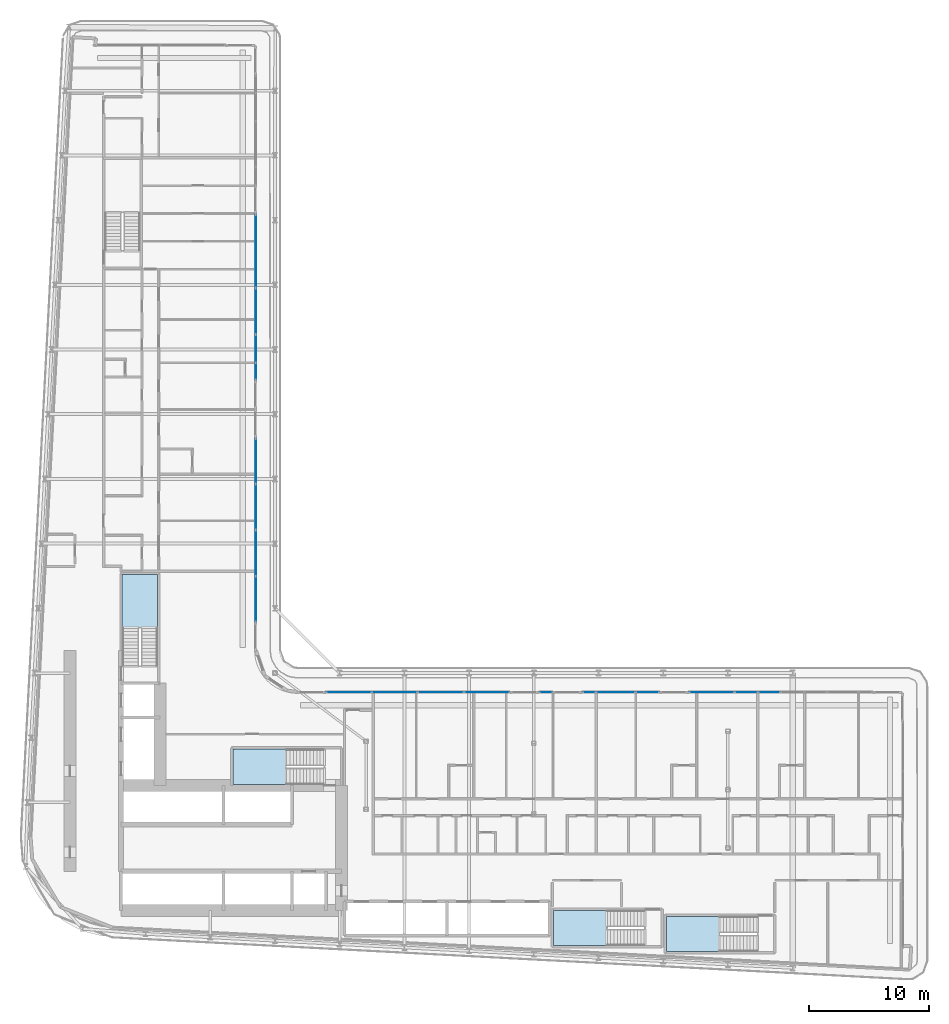
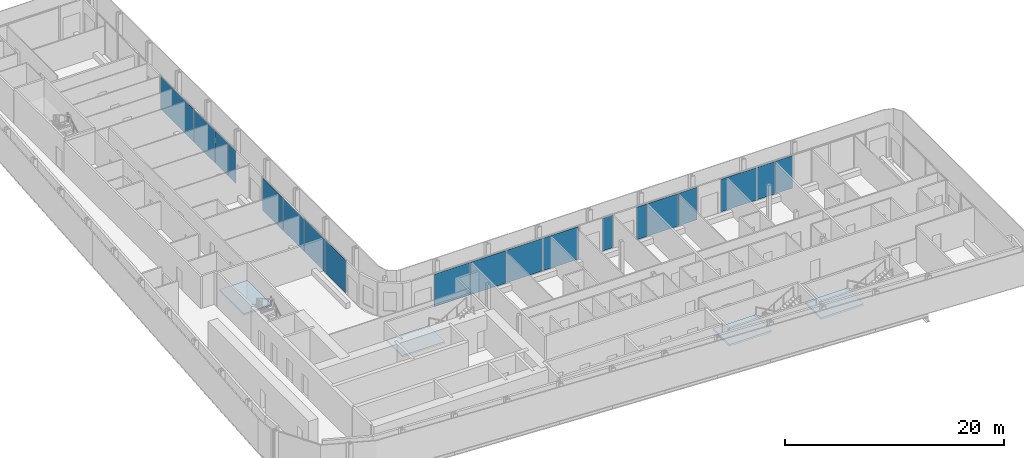
# One storey, part 10 of 29: 19 plates, 4 slabs, 13 elements without a shape of their own.
"""IFC4 building model written with IfcOpenShell, lengths in metres."""

from ifc_helpers import new_model, si_unit, direction, frame, origin, origin_2d, place, context, subcontext, project, spatial, polyline, rectangle, outline, extrude, material, layer, layer_set, type_object, element, aggregate, save


model = new_model("IFC4")

# Units and contexts
model_context = context("Model", 3, precision=1e-05, world=origin(), true_north=direction((0.0, 1.0)))
body_context = subcontext(model_context, "Body", "Model", "MODEL_VIEW")
ifc_project = project(units=[si_unit("LENGTHUNIT", "METRE"), si_unit("AREAUNIT", "SQUARE_METRE"), si_unit("VOLUMEUNIT", "CUBIC_METRE"), si_unit("PLANEANGLEUNIT", "RADIAN"), si_unit("MASSUNIT", "GRAM", prefix="KILO")], contexts=[model_context])

# Site, building, storey
site_placement = place(None, origin())
site = spatial("IfcSite", under=ifc_project, at=site_placement, CompositionType="ELEMENT")
building_placement = place(site_placement, origin())
building = spatial("IfcBuilding", under=site, at=building_placement, Name="Kheshtan School and Residences Tower", CompositionType="ELEMENT")
storey_placement = place(building_placement, frame((0.0, 0.0, 69.5)))
storey = spatial("IfcBuildingStorey", under=building, at=storey_placement, Name="L16", CompositionType="ELEMENT", Elevation=69.5)

# Curtain wall, plate
ifc_material_1 = material(Name="Clear low-e glass in thermally broken aluminium frame", Category="aluminium")
ifc_layer_1 = layer(ifc_material_1, 0.199951171875)
ifc_layer_set_1 = layer_set([ifc_layer_1], Name="Curtain wall CW-L")
curtain_wall_type = type_object("IfcCurtainWallType", Name="Curtain wall CW-L", PredefinedType="NOTDEFINED", material=ifc_layer_set_1)
curtain_wall_1_placement = place(storey_placement, origin())
curtain_wall_1 = element("IfcCurtainWall", 1, at=curtain_wall_1_placement, inside=storey, type_object=curtain_wall_type, Name="Curtain wall CWL8d", PredefinedType="NOTDEFINED")
ifc_layer_2 = layer(ifc_material_1, 0.031982421875)
ifc_layer_set_2 = layer_set([ifc_layer_2], Name="CW-L glass panel")
plate_type = type_object("IfcPlateType", Name="CW-L glass panel", PredefinedType="CURTAIN_PANEL", material=ifc_layer_set_2)
plate_1_placement = place(storey_placement, frame((46.0, 80.80908203125, 0.0), z_axis=(0.0, 0.0, 1.0), x_axis=(0.0, -1.0, 0.0)))
plate_1 = element("IfcPlate", 2, at=plate_1_placement, type_object=plate_type, Name="CWL8d panel 1.1", PredefinedType="CURTAIN_PANEL", context=body_context, shape_type="SweptSolid", body=[
    extrude(rectangle(XDim=6.073974609375, YDim=0.031982421875, at=origin_2d()), origin(), (0.0, 0.0, 1.0), 3.6298828125),
])
aggregate(curtain_wall_1, [plate_1])

# Curtain wall, plates
curtain_wall_2_placement = place(storey_placement, origin())
curtain_wall_2 = element("IfcCurtainWall", 3, at=curtain_wall_2_placement, inside=storey, type_object=curtain_wall_type, Name="Curtain wall CWL8c", PredefinedType="NOTDEFINED")
plate_2_placement = place(storey_placement, frame((46.0, 75.803466796875, 0.0), z_axis=(0.0, 0.0, 1.0), x_axis=(0.0, -1.0, 0.0)))
plate_2 = element("IfcPlate", 4, at=plate_2_placement, type_object=plate_type, Name="CWL8c panel 1.1", PredefinedType="CURTAIN_PANEL", context=body_context, shape_type="SweptSolid", body=[
    extrude(rectangle(XDim=3.81689453125, YDim=0.031982421875, at=origin_2d()), origin(), (0.0, 0.0, 1.0), 3.6298828125),
])
plate_3_placement = place(storey_placement, frame((46.0, 72.6826171875, 0.0), z_axis=(0.0, 0.0, 1.0), x_axis=(0.0, -1.0, 0.0)))
plate_3 = element("IfcPlate", 5, at=plate_3_placement, type_object=plate_type, Name="CWL8c panel 2.1", PredefinedType="CURTAIN_PANEL", context=body_context, shape_type="SweptSolid", body=[
    extrude(rectangle(XDim=2.304931640625, YDim=0.031982421875, at=origin_2d()), origin(), (0.0, 0.0, 1.0), 3.6298828125),
])
plate_4_placement = place(storey_placement, frame((46.0, 70.77392578125, 0.0), z_axis=(0.0, 0.0, 1.0), x_axis=(0.0, -1.0, 0.0)))
plate_4 = element("IfcPlate", 6, at=plate_4_placement, type_object=plate_type, Name="CWL8c panel 3.1", PredefinedType="CURTAIN_PANEL", context=body_context, shape_type="SweptSolid", body=[
    extrude(rectangle(XDim=1.39208984375, YDim=0.031982421875, at=origin_2d()), origin(), (0.0, 0.0, 1.0), 3.6298828125),
])
aggregate(curtain_wall_2, [plate_2, plate_3, plate_4])

curtain_wall_3_placement = place(storey_placement, origin())
curtain_wall_3 = element("IfcCurtainWall", 7, at=curtain_wall_3_placement, inside=storey, type_object=curtain_wall_type, Name="Curtain wall CWL8", PredefinedType="NOTDEFINED")
plate_5_placement = place(storey_placement, frame((46.0, 63.279541015625, 0.0), z_axis=(0.0, 0.0, 1.0), x_axis=(0.0, -1.0, 0.0)))
plate_5 = element("IfcPlate", 8, at=plate_5_placement, type_object=plate_type, Name="CWL8 panel 1.1", PredefinedType="CURTAIN_PANEL", context=body_context, shape_type="SweptSolid", body=[
    extrude(rectangle(XDim=3.757080078125, YDim=0.031982421875, at=origin_2d()), origin(), (0.0, 0.0, 1.0), 3.6298828125),
])
plate_6_placement = place(storey_placement, frame((46.0, 59.46240234375, 0.0), z_axis=(0.0, 0.0, 1.0), x_axis=(0.0, -1.0, 0.0)))
plate_6 = element("IfcPlate", 9, at=plate_6_placement, type_object=plate_type, Name="CWL8 panel 2.1", PredefinedType="CURTAIN_PANEL", context=body_context, shape_type="SweptSolid", body=[
    extrude(rectangle(XDim=3.757080078125, YDim=0.031982421875, at=origin_2d()), origin(), (0.0, 0.0, 1.0), 3.6298828125),
])
aggregate(curtain_wall_3, [plate_5, plate_6])

curtain_wall_4_placement = place(storey_placement, origin())
curtain_wall_4 = element("IfcCurtainWall", 10, at=curtain_wall_4_placement, inside=storey, type_object=curtain_wall_type, Name="Curtain wall CWL8", PredefinedType="NOTDEFINED")
plate_7_placement = place(storey_placement, frame((46.0, 55.615478515625, 0.0), z_axis=(0.0, 0.0, 1.0), x_axis=(0.0, -1.0, 0.0)))
plate_7 = element("IfcPlate", 11, at=plate_7_placement, type_object=plate_type, Name="CWL8 panel 1.1", PredefinedType="CURTAIN_PANEL", context=body_context, shape_type="SweptSolid", body=[
    extrude(rectangle(XDim=3.81689453125, YDim=0.031982421875, at=origin_2d()), origin(), (0.0, 0.0, 1.0), 3.6298828125),
])
plate_8_placement = place(storey_placement, frame((46.0, 51.7685546875, 0.0), z_axis=(0.0, 0.0, 1.0), x_axis=(0.0, -1.0, 0.0)))
plate_8 = element("IfcPlate", 12, at=plate_8_placement, type_object=plate_type, Name="CWL8 panel 2.1", PredefinedType="CURTAIN_PANEL", context=body_context, shape_type="SweptSolid", body=[
    extrude(rectangle(XDim=3.757080078125, YDim=0.031982421875, at=origin_2d()), origin(), (0.0, 0.0, 1.0), 3.6298828125),
])
aggregate(curtain_wall_4, [plate_7, plate_8])

curtain_wall_5_placement = place(storey_placement, origin())
curtain_wall_5 = element("IfcCurtainWall", 13, at=curtain_wall_5_placement, inside=storey, type_object=curtain_wall_type, Name="Curtain wall CWL12j", PredefinedType="NOTDEFINED")
plate_9_placement = place(storey_placement, frame((53.7685546875, 44.0, 0.0), z_axis=(0.0, 0.0, 1.0), x_axis=(1.0, 0.0, 0.0)))
plate_9 = element("IfcPlate", 14, at=plate_9_placement, type_object=plate_type, Name="CWL12j panel 1.1", PredefinedType="CURTAIN_PANEL", context=body_context, shape_type="SweptSolid", body=[
    extrude(rectangle(XDim=3.757080078125, YDim=0.031982421875, at=origin_2d()), origin(), (0.0, 0.0, 1.0), 3.6298828125),
])
plate_10_placement = place(storey_placement, frame((57.58544921875, 44.0, 0.0), z_axis=(0.0, 0.0, 1.0), x_axis=(1.0, 0.0, 0.0)))
plate_10 = element("IfcPlate", 15, at=plate_10_placement, type_object=plate_type, Name="CWL12j panel 2.1", PredefinedType="CURTAIN_PANEL", context=body_context, shape_type="SweptSolid", body=[
    extrude(rectangle(XDim=3.757080078125, YDim=0.031982421875, at=origin_2d()), origin(), (0.0, 0.0, 1.0), 3.6298828125),
])
aggregate(curtain_wall_5, [plate_9, plate_10])

curtain_wall_6_placement = place(storey_placement, origin())
curtain_wall_6 = element("IfcCurtainWall", 16, at=curtain_wall_6_placement, inside=storey, type_object=curtain_wall_type, Name="Curtain wall CWL12j", PredefinedType="NOTDEFINED")
plate_11_placement = place(storey_placement, frame((61.4326171875, 44.0, 0.0), z_axis=(0.0, 0.0, 1.0), x_axis=(1.0, 0.0, 0.0)))
plate_11 = element("IfcPlate", 17, at=plate_11_placement, type_object=plate_type, Name="CWL12j panel 1.1", PredefinedType="CURTAIN_PANEL", context=body_context, shape_type="SweptSolid", body=[
    extrude(rectangle(XDim=3.81689453125, YDim=0.031982421875, at=origin_2d()), origin(), (0.0, 0.0, 1.0), 3.6298828125),
])
plate_12_placement = place(storey_placement, frame((65.279541015625, 44.0, 0.0), z_axis=(0.0, 0.0, 1.0), x_axis=(1.0, 0.0, 0.0)))
plate_12 = element("IfcPlate", 18, at=plate_12_placement, type_object=plate_type, Name="CWL12j panel 2.1", PredefinedType="CURTAIN_PANEL", context=body_context, shape_type="SweptSolid", body=[
    extrude(rectangle(XDim=3.757080078125, YDim=0.031982421875, at=origin_2d()), origin(), (0.0, 0.0, 1.0), 3.6298828125),
])
aggregate(curtain_wall_6, [plate_11, plate_12])

# Curtain wall, plate
curtain_wall_7_placement = place(storey_placement, origin())
curtain_wall_7 = element("IfcCurtainWall", 19, at=curtain_wall_7_placement, inside=storey, type_object=curtain_wall_type, Name="Curtain wall CWL12b", PredefinedType="NOTDEFINED")
plate_13_placement = place(storey_placement, frame((70.218017578125, 44.0, 0.0), z_axis=(0.0, 0.0, 1.0), x_axis=(1.0, 0.0, 0.0)))
plate_13 = element("IfcPlate", 20, at=plate_13_placement, type_object=plate_type, Name="CWL12b panel 1.1", PredefinedType="CURTAIN_PANEL", context=body_context, shape_type="SweptSolid", body=[
    extrude(rectangle(XDim=1.080078125, YDim=0.031982421875, at=origin_2d()), origin(), (0.0, 0.0, 1.0), 3.6298828125),
])
aggregate(curtain_wall_7, [plate_13])

# Curtain wall, plates
curtain_wall_8_placement = place(storey_placement, origin())
curtain_wall_8 = element("IfcCurtainWall", 21, at=curtain_wall_8_placement, inside=storey, type_object=curtain_wall_type, Name="Curtain wall CWL12l", PredefinedType="NOTDEFINED")
plate_14_placement = place(storey_placement, frame((73.823974609375, 44.0, 0.0), z_axis=(0.0, 0.0, 1.0), x_axis=(1.0, 0.0, 0.0)))
plate_14 = element("IfcPlate", 22, at=plate_14_placement, type_object=plate_type, Name="CWL12l panel 1.1", PredefinedType="CURTAIN_PANEL", context=body_context, shape_type="SweptSolid", body=[
    extrude(rectangle(XDim=1.092041015625, YDim=0.031982421875, at=origin_2d()), origin(), (0.0, 0.0, 1.0), 3.6298828125),
])
plate_15_placement = place(storey_placement, frame((76.050048828125, 44.0, 0.0), z_axis=(0.0, 0.0, 1.0), x_axis=(1.0, 0.0, 0.0)))
plate_15 = element("IfcPlate", 23, at=plate_15_placement, type_object=plate_type, Name="CWL12l panel 2.1", PredefinedType="CURTAIN_PANEL", context=body_context, shape_type="SweptSolid", body=[
    extrude(rectangle(XDim=3.239990234375, YDim=0.031982421875, at=origin_2d()), origin(), (0.0, 0.0, 1.0), 3.6298828125),
])
plate_16_placement = place(storey_placement, frame((78.69091796875, 44.0, 0.0), z_axis=(0.0, 0.0, 1.0), x_axis=(1.0, 0.0, 0.0)))
plate_16 = element("IfcPlate", 24, at=plate_16_placement, type_object=plate_type, Name="CWL12l panel 3.1", PredefinedType="CURTAIN_PANEL", context=body_context, shape_type="SweptSolid", body=[
    extrude(rectangle(XDim=1.922119140625, YDim=0.031982421875, at=origin_2d()), origin(), (0.0, 0.0, 1.0), 3.6298828125),
])
aggregate(curtain_wall_8, [plate_14, plate_15, plate_16])

curtain_wall_9_placement = place(storey_placement, origin())
curtain_wall_9 = element("IfcCurtainWall", 25, at=curtain_wall_9_placement, inside=storey, type_object=curtain_wall_type, Name="Curtain wall CWL12k", PredefinedType="NOTDEFINED")
plate_17_placement = place(storey_placement, frame((84.050537109375, 44.0, 0.0), z_axis=(0.0, 0.0, 1.0), x_axis=(1.0, 0.0, 0.0)))
plate_17 = element("IfcPlate", 26, at=plate_17_placement, type_object=plate_type, Name="CWL12k panel 1.1", PredefinedType="CURTAIN_PANEL", context=body_context, shape_type="SweptSolid", body=[
    extrude(rectangle(XDim=3.757080078125, YDim=0.031982421875, at=origin_2d()), origin(), (0.0, 0.0, 1.0), 3.6298828125),
])
plate_18_placement = place(storey_placement, frame((86.929443359375, 44.0, 0.0), z_axis=(0.0, 0.0, 1.0), x_axis=(1.0, 0.0, 0.0)))
plate_18 = element("IfcPlate", 27, at=plate_18_placement, type_object=plate_type, Name="CWL12k panel 2.1", PredefinedType="CURTAIN_PANEL", context=body_context, shape_type="SweptSolid", body=[
    extrude(rectangle(XDim=1.881103515625, YDim=0.031982421875, at=origin_2d()), origin(), (0.0, 0.0, 1.0), 3.6298828125),
])
plate_19_placement = place(storey_placement, frame((88.837890625, 44.0, 0.0), z_axis=(0.0, 0.0, 1.0), x_axis=(1.0, 0.0, 0.0)))
plate_19 = element("IfcPlate", 28, at=plate_19_placement, type_object=plate_type, Name="CWL12k panel 3.1", PredefinedType="CURTAIN_PANEL", context=body_context, shape_type="SweptSolid", body=[
    extrude(rectangle(XDim=1.81591796875, YDim=0.031982421875, at=origin_2d()), origin(), (0.0, 0.0, 1.0), 3.6298828125),
])
aggregate(curtain_wall_9, [plate_17, plate_18, plate_19])

# Stair, slab
ifc_material_2 = material(Name="Concrete C40/50", Category="concrete")
stair_type = type_object("IfcStairType", Name="Exit stair, half-turn", PredefinedType="HALF_TURN_STAIR", material=ifc_material_2)
stair_1_placement = place(storey_placement, origin())
stair_1 = element("IfcStair", 29, at=stair_1_placement, inside=storey, type_object=stair_type, Name="L16 Protected Exit Stair ST1", PredefinedType="HALF_TURN_STAIR")
ifc_layer_3 = layer(ifc_material_2, 0.199951171875)
ifc_layer_set_3 = layer_set([ifc_layer_3], Name="Stair landing 200 Concrete C40/50")
slab_type = type_object("IfcSlabType", Name="Stair landing 200 Concrete C40/50", PredefinedType="LANDING", material=ifc_layer_set_3)
slab_1_placement = place(storey_placement, frame((0.0, 0.0, 1.75)))
slab_1 = element("IfcSlab", 30, at=slab_1_placement, type_object=slab_type, Name="ST1 landing 1", PredefinedType="LANDING", context=body_context, shape_type="SweptSolid", body=[
    extrude(outline(polyline([(48.570068359375, 39.25), (44.090087890625, 39.25), (44.090087890625, 36.300048828125), (48.570068359375, 36.300048828125), (48.570068359375, 39.25)])), origin(), (0.0, 0.0, 1.0), 0.199951171875),
])
aggregate(stair_1, [slab_1])

stair_2_placement = place(storey_placement, origin())
stair_2 = element("IfcStair", 31, at=stair_2_placement, inside=storey, type_object=stair_type, Name="L16 Protected Exit Stair ST2", PredefinedType="HALF_TURN_STAIR")
slab_2_placement = place(storey_placement, frame((0.0, 0.0, 1.75)))
slab_2 = element("IfcSlab", 32, at=slab_2_placement, type_object=slab_type, Name="ST2 landing 1", PredefinedType="LANDING", context=body_context, shape_type="SweptSolid", body=[
    extrude(outline(polyline([(37.800048828125, 49.330078125), (37.800048828125, 53.81005859375), (34.85009765625, 53.81005859375), (34.85009765625, 49.330078125), (37.800048828125, 49.330078125)])), origin(), (0.0, 0.0, 1.0), 0.199951171875),
])
aggregate(stair_2, [slab_2])

stair_3_placement = place(storey_placement, origin())
stair_3 = element("IfcStair", 33, at=stair_3_placement, inside=storey, type_object=stair_type, Name="L16 Protected Exit Stair ST4", PredefinedType="HALF_TURN_STAIR")
slab_3_placement = place(storey_placement, frame((0.0, 0.0, 1.75)))
slab_3 = element("IfcSlab", 34, at=slab_3_placement, type_object=slab_type, Name="ST4 landing 1", PredefinedType="LANDING", context=body_context, shape_type="SweptSolid", body=[
    extrude(outline(polyline([(84.739990234375, 25.300048828125), (80.260009765625, 25.300048828125), (80.260009765625, 22.35009765625), (84.739990234375, 22.35009765625), (84.739990234375, 25.300048828125)])), origin(), (0.0, 0.0, 1.0), 0.199951171875),
])
aggregate(stair_3, [slab_3])

stair_4_placement = place(storey_placement, origin())
stair_4 = element("IfcStair", 35, at=stair_4_placement, inside=storey, type_object=stair_type, Name="L16 Protected Exit Stair ST5", PredefinedType="HALF_TURN_STAIR")
slab_4_placement = place(storey_placement, frame((0.0, 0.0, 1.75)))
slab_4 = element("IfcSlab", 36, at=slab_4_placement, type_object=slab_type, Name="ST5 landing 1", PredefinedType="LANDING", context=body_context, shape_type="SweptSolid", body=[
    extrude(outline(polyline([(75.330078125, 25.800048828125), (70.85009765625, 25.800048828125), (70.85009765625, 22.85009765625), (75.330078125, 22.85009765625), (75.330078125, 25.800048828125)])), origin(), (0.0, 0.0, 1.0), 0.199951171875),
])
aggregate(stair_4, [slab_4])

save(model, "model.ifc")
